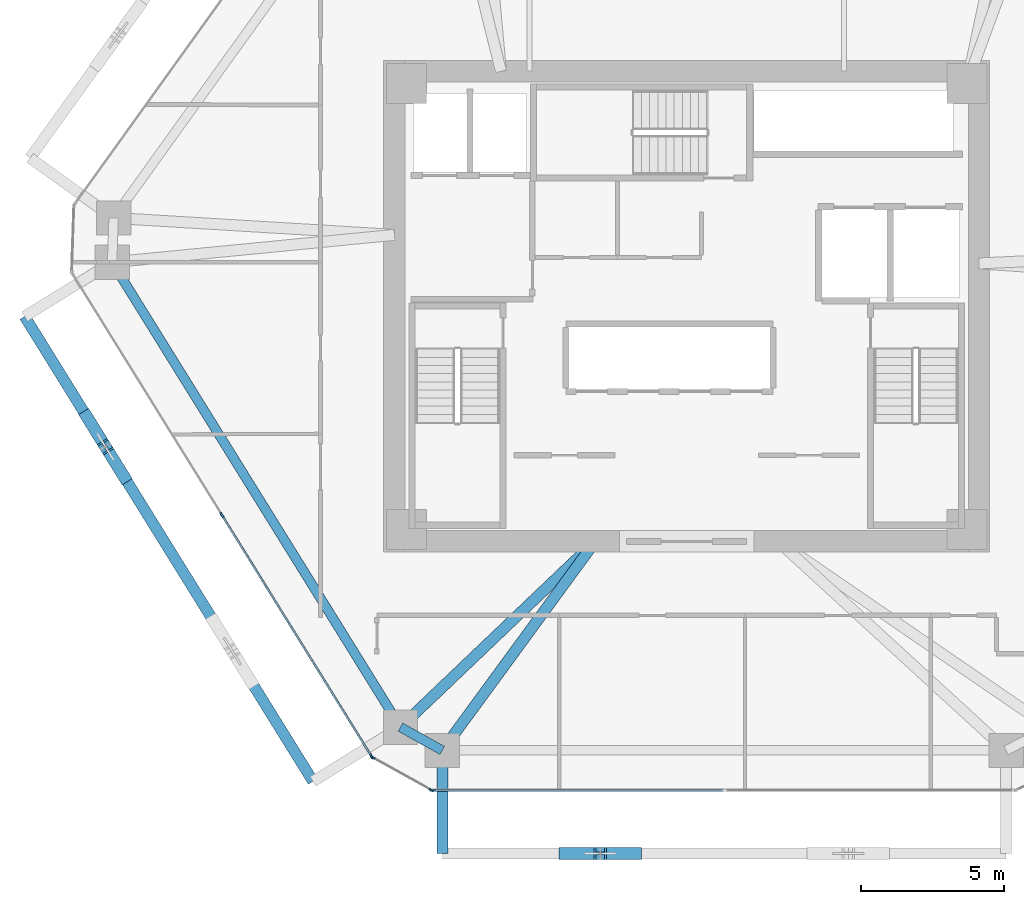
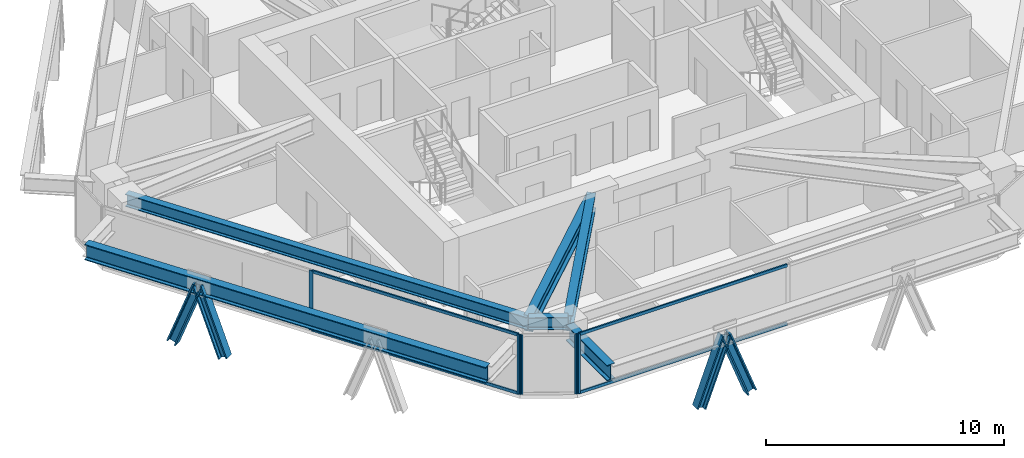
# One storey, part 2 of 16: 13 members, 6 beams, 3 elements without a shape of their own.
"""IFC4 building model written with IfcOpenShell, lengths in metres."""

from ifc_helpers import new_model, si_unit, direction, frame, origin, origin_2d, place, context, subcontext, project, spatial, rectangle, i_section, extrude, source, transform, mapped, material, layer, layer_set, material_profile, profile_set, type_object, type_shapes, element, aggregate, save


model = new_model("IFC4")

# Units and contexts
model_context = context("Model", 3, precision=1e-05, world=origin(), true_north=direction((0.0, 1.0)))
body_context = subcontext(model_context, "Body", "Model", "MODEL_VIEW")
ifc_project = project(units=[si_unit("LENGTHUNIT", "METRE"), si_unit("AREAUNIT", "SQUARE_METRE"), si_unit("VOLUMEUNIT", "CUBIC_METRE"), si_unit("PLANEANGLEUNIT", "RADIAN"), si_unit("MASSUNIT", "GRAM", prefix="KILO")], contexts=[model_context])

# Site, building, storey
site_placement = place(None, origin())
site = spatial("IfcSite", under=ifc_project, at=site_placement, CompositionType="ELEMENT")
building_placement = place(site_placement, origin())
building = spatial("IfcBuilding", under=site, at=building_placement, Name="Durnholm Broadcast Tower", CompositionType="ELEMENT")
storey_placement = place(building_placement, frame((0.0, 0.0, 117.300048828125)))
storey = spatial("IfcBuildingStorey", under=building, at=storey_placement, Name="L31", CompositionType="ELEMENT", Elevation=117.300048828125)

# Beams
ifc_material_1 = material(Name="Steel ASTM A992 Grade 50", Category="steel")
ifc_material_profile_1 = material_profile(ifc_material_1, i_section(OverallWidth=0.385009765625, OverallDepth=0.802978515625, WebThickness=0.023681640625, FlangeThickness=0.0419921875, FilletRadius=0.032958984375, at=origin_2d()), Name="W30X261")
ifc_profile_set_1 = profile_set([ifc_material_profile_1], Name="Steel ASTM A992 Grade 50")
beam_type_1 = type_object("IfcBeamType", Name="BM-EXO-TIE", PredefinedType="USERDEFINED", material=ifc_profile_set_1)
shared_shape_1 = source(origin(), body_context, "Body", "SweptSolid", [
    extrude(i_section(OverallWidth=0.385009765625, OverallDepth=0.802978515625, WebThickness=0.023681640625, FlangeThickness=0.0419921875, FilletRadius=0.032958984375, at=origin_2d()), origin(), (0.0, 0.0, 1.0), 3.4560546875),
])
beam_1_placement = place(storey_placement, frame((-8.552001953125, -15.680908203125, 2.30859375), z_axis=(0.0, -1.0, 0.0), x_axis=(1.0, 0.0, 0.0)))
element("IfcBeam", 1, at=beam_1_placement, inside=storey, type_object=beam_type_1, Name="L31 exoskeleton stand-off tie bracket F1.1", ObjectType="GIRDER", PredefinedType="USERDEFINED", context=body_context, shape_type="MappedRepresentation", body=[
    mapped(shared_shape_1, transform((0.0, 0.0, 0.0), x_axis=(1.0, 0.0, 0.0), y_axis=(0.0, 1.0, 0.0), z_axis=(0.0, 0.0, 1.0), scale=1.0)),
])
ifc_material_profile_2 = material_profile(ifc_material_1, i_section(OverallWidth=0.3291015625, OverallDepth=0.635009765625, WebThickness=0.017822265625, FlangeThickness=0.031005859375, FilletRadius=0.02783203125, at=origin_2d()), Name="W24X162")
ifc_profile_set_2 = profile_set([ifc_material_profile_2], Name="Steel ASTM A992 Grade 50")
beam_type_2 = type_object("IfcBeamType", Name="STL-SP-W24X162", PredefinedType="SPANDREL", material=ifc_profile_set_2)
shared_shape_2 = source(origin(), body_context, "Body", "SweptSolid", [
    extrude(i_section(OverallWidth=0.3291015625, OverallDepth=0.635009765625, WebThickness=0.017822265625, FlangeThickness=0.031005859375, FilletRadius=0.02783203125, at=origin_2d()), origin(), (0.0, 0.0, 1.0), 19.1396484375),
])
beam_2_placement = place(storey_placement, frame((-10.01416015625, -14.723388671875, 2.7275390625), z_axis=(-0.527105324954, 0.849799962582, 0.0), x_axis=(-0.849799962582, -0.527105324954, 0.0)))
element("IfcBeam", 2, at=beam_2_placement, inside=storey, type_object=beam_type_2, Name="L31 perimeter spandrel girder 01", PredefinedType="SPANDREL", context=body_context, shape_type="MappedRepresentation", body=[
    mapped(shared_shape_2, transform((0.0, 0.0, 0.0), x_axis=(1.0, 0.0, 0.0), y_axis=(0.0, 1.0, 0.0), z_axis=(0.0, 0.0, 1.0), scale=1.0)),
])
shared_shape_3 = source(origin(), body_context, "Body", "SweptSolid", [
    extrude(i_section(OverallWidth=0.3291015625, OverallDepth=0.635009765625, WebThickness=0.017822265625, FlangeThickness=0.031005859375, FilletRadius=0.02783203125, at=origin_2d()), origin(), (0.0, 0.0, 1.0), 1.67333984375),
])
type_shapes(beam_type_2, [shared_shape_2, shared_shape_3])
beam_3_placement = place(storey_placement, frame((-8.552001953125, -15.537109375, 2.7275390625), z_axis=(-0.873799169188, 0.486286964586, 0.0), x_axis=(-0.486286964586, -0.873799169188, 0.0)))
element("IfcBeam", 3, at=beam_3_placement, inside=storey, type_object=beam_type_2, Name="L31 perimeter spandrel girder 12", PredefinedType="SPANDREL", context=body_context, shape_type="MappedRepresentation", body=[
    mapped(shared_shape_3, transform((0.0, 0.0, 0.0), x_axis=(1.0, 0.0, 0.0), y_axis=(0.0, 1.0, 0.0), z_axis=(0.0, 0.0, 1.0), scale=1.0)),
])
ifc_material_profile_3 = material_profile(ifc_material_1, i_section(OverallWidth=0.385009765625, OverallDepth=0.802978515625, WebThickness=0.023681640625, FlangeThickness=0.0419921875, FilletRadius=0.032958984375, at=origin_2d()), Name="W30X261")
ifc_profile_set_3 = profile_set([ifc_material_profile_3], Name="Steel ASTM A992 Grade 50")
beam_type_3 = type_object("IfcBeamType", Name="STL-GR-W30X261", PredefinedType="USERDEFINED", material=ifc_profile_set_3)
shared_shape_4 = source(origin(), body_context, "Body", "SweptSolid", [
    extrude(i_section(OverallWidth=0.385009765625, OverallDepth=0.802978515625, WebThickness=0.023681640625, FlangeThickness=0.0419921875, FilletRadius=0.032958984375, at=origin_2d()), origin(), (0.0, 0.0, 1.0), 9.416015625),
])
beam_4_placement = place(storey_placement, frame((-3.199951171875, -8.22509765625, 2.6435546875), z_axis=(-0.723683335801, -0.690132182617, 0.0), x_axis=(0.690132182617, -0.723683335801, 0.0)))
element("IfcBeam", 4, at=beam_4_placement, inside=storey, type_object=beam_type_3, Name="L31 radial primary floor girder 01", ObjectType="GIRDER", PredefinedType="USERDEFINED", context=body_context, shape_type="MappedRepresentation", body=[
    mapped(shared_shape_4, transform((0.0, 0.0, 0.0), x_axis=(1.0, 0.0, 0.0), y_axis=(0.0, 1.0, 0.0), z_axis=(0.0, 0.0, 1.0), scale=1.0)),
])
shared_shape_5 = source(origin(), body_context, "Body", "SweptSolid", [
    extrude(i_section(OverallWidth=0.385009765625, OverallDepth=0.802978515625, WebThickness=0.023681640625, FlangeThickness=0.0419921875, FilletRadius=0.032958984375, at=origin_2d()), origin(), (0.0, 0.0, 1.0), 9.0615234375),
])
type_shapes(beam_type_3, [shared_shape_4, shared_shape_5])
beam_5_placement = place(storey_placement, frame((-3.199951171875, -8.22509765625, 2.6435546875), z_axis=(-0.590639241086, -0.806935739008, 0.0), x_axis=(0.806935739008, -0.590639241086, 0.0)))
element("IfcBeam", 5, at=beam_5_placement, inside=storey, type_object=beam_type_3, Name="L31 radial primary floor girder 12", ObjectType="GIRDER", PredefinedType="USERDEFINED", context=body_context, shape_type="MappedRepresentation", body=[
    mapped(shared_shape_5, transform((0.0, 0.0, 0.0), x_axis=(1.0, 0.0, 0.0), y_axis=(0.0, 1.0, 0.0), z_axis=(0.0, 0.0, 1.0), scale=1.0)),
])
shared_shape_6 = source(origin(), body_context, "Body", "SweptSolid", [
    extrude(i_section(OverallWidth=0.385009765625, OverallDepth=0.802978515625, WebThickness=0.023681640625, FlangeThickness=0.0419921875, FilletRadius=0.032958984375, at=origin_2d()), origin(), (0.0, 0.0, 1.0), 19.139404296875),
])
type_shapes(beam_type_1, [shared_shape_1, shared_shape_6])
beam_6_placement = place(storey_placement, frame((-23.162109375, -0.356201171875, 2.30859375), z_axis=(0.527111038734, -0.84979641847, 0.0), x_axis=(0.84979641847, 0.527111038734, 0.0)))
element("IfcBeam", 6, at=beam_6_placement, inside=storey, type_object=beam_type_1, Name="L31 exoskeleton collector spandrel F6", PredefinedType="SPANDREL", context=body_context, shape_type="MappedRepresentation", body=[
    mapped(shared_shape_6, transform((0.0, 0.0, 0.0), x_axis=(1.0, 0.0, 0.0), y_axis=(0.0, 1.0, 0.0), z_axis=(0.0, 0.0, 1.0), scale=1.0)),
])

# Members
ifc_material_2 = material(Name="Steel ASTM A913 Grade 65", Category="steel")
ifc_material_profile_4 = material_profile(ifc_material_2, i_section(OverallWidth=0.41845703125, OverallDepth=0.455078125, WebThickness=0.0419921875, FlangeThickness=0.067626953125, FilletRadius=0.030517578125, at=origin_2d()), Name="W14X370")
ifc_profile_set_4 = profile_set([ifc_material_profile_4], Name="Steel ASTM A913 Grade 65")
member_type_1 = type_object("IfcMemberType", Name="STL-DG-W14X370", PredefinedType="BRACE", material=ifc_profile_set_4)
shared_shape_7 = source(origin(), body_context, "Body", "SweptSolid", [
    extrude(i_section(OverallWidth=0.41845703125, OverallDepth=0.455078125, WebThickness=0.0419921875, FlangeThickness=0.067626953125, FilletRadius=0.030517578125, at=origin_2d()), origin(), (0.0, 0.0, 1.0), 3.523193359375),
])
type_shapes(member_type_1, [shared_shape_7])
for number, where, z_axis, x_axis, name in (
    (7, (-4.261962890625, -19.136962890625, -0.991455078125), (0.350219588454, 0.0, 0.936667625075), (0.0, 1.0, 0.0), "L31 stand-off diagrid brace F1.D1.1"),
    (8, (-1.794189453125, -19.136962890625, -0.991455078125), (-0.350219588454, 0.0, 0.936667625075), (0.0, -1.0, 0.0), "L31 stand-off diagrid brace F1.D1.2"),
    (9, (-20.987548828125, -3.86181640625, -0.991455078125), (0.184602835855, -0.297623566065, 0.936665364961), (0.849805205368, 0.527096872433, 0.0), "L31 stand-off diagrid brace F6.D1.1"),
    (10, (-19.686767578125, -5.958740234375, -0.991455078125), (-0.184606642766, 0.297560406921, 0.936684681032), (-0.849750220063, -0.527185511469, 0.0), "L31 stand-off diagrid brace F6.D1.2"),
):
    element("IfcMember", number, at=place(storey_placement, frame(where, z_axis=z_axis, x_axis=x_axis)), inside=storey, type_object=member_type_1, Name=name, PredefinedType="BRACE", context=body_context, shape_type="MappedRepresentation", body=[
        mapped(shared_shape_7, transform((0.0, 0.0, 0.0), x_axis=(1.0, 0.0, 0.0), y_axis=(0.0, 1.0, 0.0), z_axis=(0.0, 0.0, 1.0), scale=1.0)),
    ])

# Curtain wall, members
ifc_material_3 = material(Name="Aluminium and Solar Control IGU", Category="aluminium")
ifc_layer_1 = layer(ifc_material_3, 0.1650390625)
ifc_layer_set_1 = layer_set([ifc_layer_1], Name="Aluminium and Solar Control IGU")
curtain_wall_type_1 = type_object("IfcCurtainWallType", Name="CW-SYS-5", PredefinedType="NOTDEFINED", material=ifc_layer_set_1)
curtain_wall_1_placement = place(storey_placement, origin())
curtain_wall_1 = element("IfcCurtainWall", 11, at=curtain_wall_1_placement, inside=storey, type_object=curtain_wall_type_1, Name="L31 curtain wall CW-CORNER CW-L31-CRN-11", PredefinedType="NOTDEFINED")
ifc_material_4 = material(Name="Aluminium 6063-T6", Category="aluminium")
ifc_material_profile_5 = material_profile(ifc_material_4, rectangle(XDim=0.06494140625, YDim=0.1650390625, at=origin_2d()), Name="CWM65X165")
ifc_profile_set_5 = profile_set([ifc_material_profile_5], Name="Aluminium 6063-T6")
member_type_2 = type_object("IfcMemberType", Name="CW-SYS-5-MUL", PredefinedType="MULLION", material=ifc_profile_set_5)
shared_shape_8 = source(origin(), body_context, "Body", "SweptSolid", [
    extrude(rectangle(XDim=0.06494140625, YDim=0.1650390625, at=origin_2d()), origin(), (0.0, 0.0, 1.0), 3.06005859375),
])
type_shapes(member_type_2, [shared_shape_8])
member_1_placement = place(storey_placement, frame((-8.943603515625, -16.921142578125, 0.0), z_axis=(0.0, 0.0, 1.0), x_axis=(-0.486244224192, -0.873822953715, 0.0)))
member_1 = element("IfcMember", 12, at=member_1_placement, type_object=member_type_2, Name="CW-CORNER mullion 1", PredefinedType="MULLION", context=body_context, shape_type="MappedRepresentation", body=[
    mapped(shared_shape_8, transform((0.0, 0.0, 0.0), x_axis=(1.0, 0.0, 0.0), y_axis=(0.0, 1.0, 0.0), z_axis=(0.0, 0.0, 1.0), scale=1.0)),
])
member_2_placement = place(storey_placement, frame((-10.98388671875, -15.785888671875, 0.0), z_axis=(0.0, 0.0, 1.0), x_axis=(-0.486244224192, -0.873822953715, 0.0)))
member_2 = element("IfcMember", 13, at=member_2_placement, type_object=member_type_2, Name="CW-CORNER mullion 2", PredefinedType="MULLION", context=body_context, shape_type="MappedRepresentation", body=[
    mapped(shared_shape_8, transform((0.0, 0.0, 0.0), x_axis=(1.0, 0.0, 0.0), y_axis=(0.0, 1.0, 0.0), z_axis=(0.0, 0.0, 1.0), scale=1.0)),
])
aggregate(curtain_wall_1, [member_1, member_2])

# Curtain wall, member
ifc_layer_2 = layer(ifc_material_3, 0.18994140625)
ifc_layer_set_2 = layer_set([ifc_layer_2], Name="Aluminium and Solar Control IGU")
curtain_wall_type_2 = type_object("IfcCurtainWallType", Name="CW-SYS-3", PredefinedType="NOTDEFINED", material=ifc_layer_set_2)
curtain_wall_2_placement = place(storey_placement, origin())
curtain_wall_2 = element("IfcCurtainWall", 14, at=curtain_wall_2_placement, inside=storey, type_object=curtain_wall_type_2, Name="L31 curtain wall CW-Z12-VIS CW-L31-F10", PredefinedType="NOTDEFINED")
ifc_material_profile_6 = material_profile(ifc_material_4, rectangle(XDim=0.070068359375, YDim=0.18994140625, at=origin_2d()), Name="CWM70X190")
ifc_profile_set_6 = profile_set([ifc_material_profile_6], Name="Aluminium 6063-T6")
member_type_3 = type_object("IfcMemberType", Name="CW-SYS-3-MUL", PredefinedType="MULLION", material=ifc_profile_set_6)
shared_shape_9 = source(origin(), body_context, "Body", "SweptSolid", [
    extrude(rectangle(XDim=0.070068359375, YDim=0.18994140625, at=origin_2d()), origin(), (0.0, 0.0, 1.0), 3.06005859375),
])
type_shapes(member_type_3, [shared_shape_9])
member_3_placement = place(storey_placement, frame((-8.880126953125, -16.93701171875, 0.0), z_axis=(0.0, 0.0, 1.0), x_axis=(0.0, -1.0, 0.0)))
member_3 = element("IfcMember", 15, at=member_3_placement, type_object=member_type_3, Name="CW-Z12-VIS mullion 3", PredefinedType="MULLION", context=body_context, shape_type="MappedRepresentation", body=[
    mapped(shared_shape_9, transform((0.0, 0.0, 0.0), x_axis=(1.0, 0.0, 0.0), y_axis=(0.0, 1.0, 0.0), z_axis=(0.0, 0.0, 1.0), scale=1.0)),
])

# Curtain wall, members
curtain_wall_3_placement = place(storey_placement, origin())
curtain_wall_3 = element("IfcCurtainWall", 16, at=curtain_wall_3_placement, inside=storey, type_object=curtain_wall_type_2, Name="L31 curtain wall CW-Z12-VIS CW-L31-F12", PredefinedType="NOTDEFINED")
member_4_placement = place(storey_placement, frame((-11.03076171875, -15.740234375, 0.0), z_axis=(0.0, 0.0, 1.0), x_axis=(-0.849799925229, -0.527105385176, 0.0)))
member_4 = element("IfcMember", 17, at=member_4_placement, type_object=member_type_3, Name="CW-Z12-VIS mullion 1", PredefinedType="MULLION", context=body_context, shape_type="MappedRepresentation", body=[
    mapped(shared_shape_9, transform((0.0, 0.0, 0.0), x_axis=(1.0, 0.0, 0.0), y_axis=(0.0, 1.0, 0.0), z_axis=(0.0, 0.0, 1.0), scale=1.0)),
])
member_5_placement = place(storey_placement, frame((-16.264404296875, -7.302734375, 0.0), z_axis=(0.0, 0.0, 1.0), x_axis=(-0.849799925229, -0.527105385176, 0.0)))
member_5 = element("IfcMember", 18, at=member_5_placement, type_object=member_type_3, Name="CW-Z12-VIS mullion 2", PredefinedType="MULLION", context=body_context, shape_type="MappedRepresentation", body=[
    mapped(shared_shape_9, transform((0.0, 0.0, 0.0), x_axis=(1.0, 0.0, 0.0), y_axis=(0.0, 1.0, 0.0), z_axis=(0.0, 0.0, 1.0), scale=1.0)),
])

# Member
ifc_material_profile_7 = material_profile(ifc_material_4, rectangle(XDim=0.070068359375, YDim=0.14990234375, at=origin_2d()), Name="CWT70X150")
ifc_profile_set_7 = profile_set([ifc_material_profile_7], Name="Aluminium 6063-T6")
member_type_4 = type_object("IfcMemberType", Name="CW-SYS-3-TRN", PredefinedType="USERDEFINED", material=ifc_profile_set_7)
shared_shape_10 = source(origin(), body_context, "Body", "SweptSolid", [
    extrude(rectangle(XDim=0.070068359375, YDim=0.14990234375, at=origin_2d()), origin(), (0.0, 0.0, 1.0), 10.109619140625),
])
member_6_placement = place(storey_placement, frame((1.264404296875, -16.93701171875, 0.034912109375), z_axis=(-1.0, 0.0, 0.0), x_axis=(0.0, -1.0, 0.0)))
member_6 = element("IfcMember", 19, at=member_6_placement, type_object=member_type_4, Name="CW-Z12-VIS transom 2.1", ObjectType="TRANSOM", PredefinedType="USERDEFINED", context=body_context, shape_type="MappedRepresentation", body=[
    mapped(shared_shape_10, transform((0.0, 0.0, 0.0), x_axis=(1.0, 0.0, 0.0), y_axis=(0.0, 1.0, 0.0), z_axis=(0.0, 0.0, 1.0), scale=1.0)),
])

member_7_placement = place(storey_placement, frame((1.264404296875, -16.93701171875, 3.02490234375), z_axis=(-1.0, 0.0, 0.0), x_axis=(0.0, -1.0, 0.0)))
member_7 = element("IfcMember", 20, at=member_7_placement, type_object=member_type_4, Name="CW-Z12-VIS transom 2.2", ObjectType="TRANSOM", PredefinedType="USERDEFINED", context=body_context, shape_type="MappedRepresentation", body=[
    mapped(shared_shape_10, transform((0.0, 0.0, 0.0), x_axis=(1.0, 0.0, 0.0), y_axis=(0.0, 1.0, 0.0), z_axis=(0.0, 0.0, 1.0), scale=1.0)),
])

aggregate(curtain_wall_2, [member_3, member_6, member_7])

shared_shape_11 = source(origin(), body_context, "Body", "SweptSolid", [
    extrude(rectangle(XDim=0.070068359375, YDim=0.14990234375, at=origin_2d()), origin(), (0.0, 0.0, 1.0), 9.858642578125),
])
type_shapes(member_type_4, [shared_shape_10, shared_shape_11])
member_8_placement = place(storey_placement, frame((-11.04931640625, -15.71044921875, 0.034912109375), z_axis=(-0.527102081419, 0.849801974441, 0.0), x_axis=(-0.849801974441, -0.527102081419, 0.0)))
member_8 = element("IfcMember", 21, at=member_8_placement, type_object=member_type_4, Name="CW-Z12-VIS transom 1.1", ObjectType="TRANSOM", PredefinedType="USERDEFINED", context=body_context, shape_type="MappedRepresentation", body=[
    mapped(shared_shape_11, transform((0.0, 0.0, 0.0), x_axis=(1.0, 0.0, 0.0), y_axis=(0.0, 1.0, 0.0), z_axis=(0.0, 0.0, 1.0), scale=1.0)),
])

member_9_placement = place(storey_placement, frame((-11.04931640625, -15.71044921875, 3.02490234375), z_axis=(-0.527102081419, 0.849801974441, 0.0), x_axis=(-0.849801974441, -0.527102081419, 0.0)))
member_9 = element("IfcMember", 22, at=member_9_placement, type_object=member_type_4, Name="CW-Z12-VIS transom 1.2", ObjectType="TRANSOM", PredefinedType="USERDEFINED", context=body_context, shape_type="MappedRepresentation", body=[
    mapped(shared_shape_11, transform((0.0, 0.0, 0.0), x_axis=(1.0, 0.0, 0.0), y_axis=(0.0, 1.0, 0.0), z_axis=(0.0, 0.0, 1.0), scale=1.0)),
])

aggregate(curtain_wall_3, [member_4, member_5, member_8, member_9])

save(model, "model.ifc")
